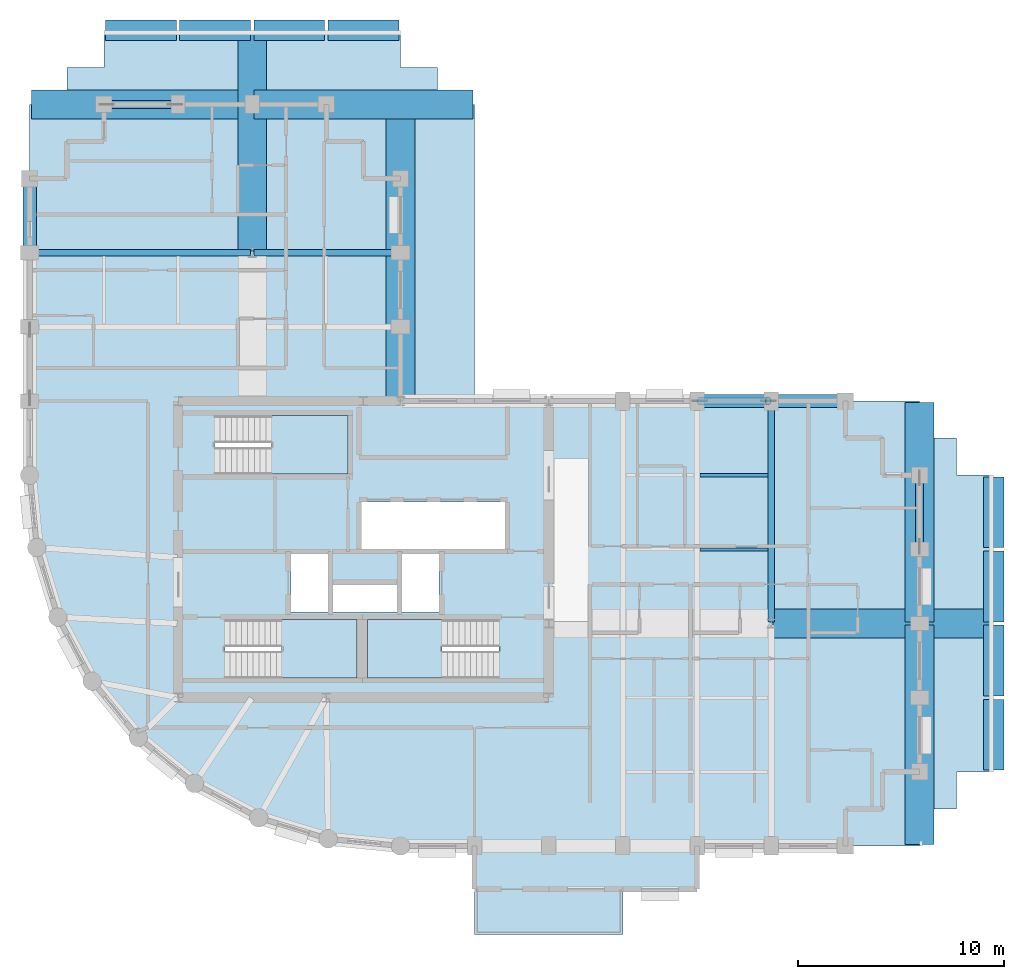
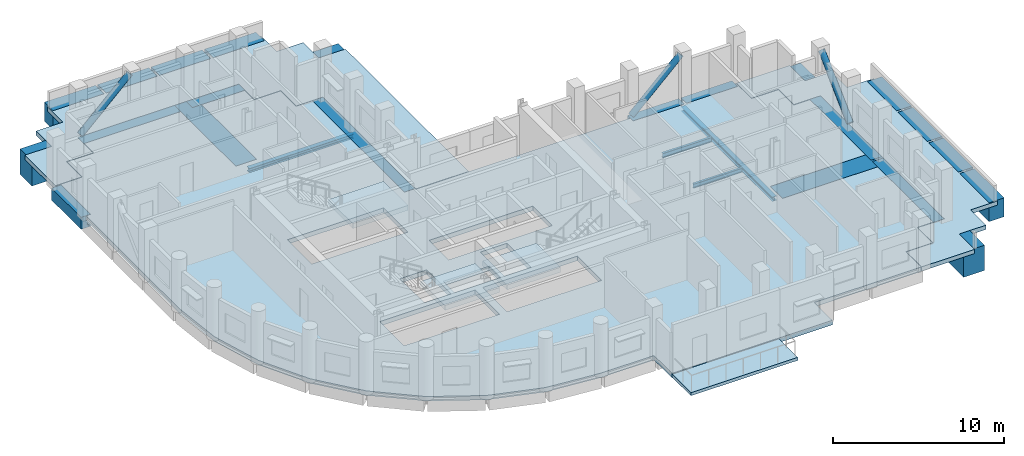
# One storey, part 2 of 10: 23 beams, 7 slabs, 3 members, 3 elements without a shape of their own.
"""IFC4 building model written with IfcOpenShell, lengths in metres."""

from ifc_helpers import new_model, si_unit, direction, frame, origin, origin_2d, place, context, subcontext, project, spatial, polyline, rectangle, hollow_circle, i_section, outline, extrude, material, layer, layer_set, material_profile, profile_set, type_object, element, aggregate, save


model = new_model("IFC4")

# Units and contexts
model_context = context("Model", 3, precision=1e-05, world=origin(), true_north=direction((0.0, 1.0)))
body_context = subcontext(model_context, "Body", "Model", "MODEL_VIEW")
ifc_project = project(units=[si_unit("LENGTHUNIT", "METRE"), si_unit("AREAUNIT", "SQUARE_METRE"), si_unit("VOLUMEUNIT", "CUBIC_METRE"), si_unit("PLANEANGLEUNIT", "RADIAN"), si_unit("MASSUNIT", "GRAM", prefix="KILO")], contexts=[model_context])

# Site, building, storey
site_placement = place(None, origin())
site = spatial("IfcSite", under=ifc_project, at=site_placement, CompositionType="ELEMENT")
building_placement = place(site_placement, origin())
building = spatial("IfcBuilding", under=site, at=building_placement, Name="Solnavia Interchange Tower", CompositionType="ELEMENT")
storey_placement = place(building_placement, frame((0.0, 0.0, 174.800048828125)))
storey = spatial("IfcBuildingStorey", under=building, at=storey_placement, Name="L43", CompositionType="ELEMENT", Elevation=174.800048828125)

# Beams
ifc_material_1 = material(Name="Steel S355", Category="steel")
ifc_material_profile_1 = material_profile(ifc_material_1, i_section(OverallWidth=0.14990234375, OverallDepth=0.300048828125, WebThickness=0.007080078125, FlangeThickness=0.0107421875, FilletRadius=0.014892578125, at=origin_2d()), Name="IPE 300")
ifc_profile_set_1 = profile_set([ifc_material_profile_1], Name="Steel S355")
beam_type_1 = type_object("IfcBeamType", Name="Beam-Joist-IPE300", PredefinedType="JOIST", material=ifc_profile_set_1)
beam_1_placement = place(storey_placement, frame((39.75, 18.0, -0.469970703125), z_axis=(1.0, 0.0, 0.0), x_axis=(0.0, 1.0, 0.0)))
element("IfcBeam", 1, at=beam_1_placement, inside=storey, type_object=beam_type_1, Name="JST-L43-E06 East wing secondary joist", PredefinedType="JOIST", context=body_context, shape_type="SweptSolid", body=[
    extrude(i_section(OverallWidth=0.14990234375, OverallDepth=0.300048828125, WebThickness=0.007080078125, FlangeThickness=0.0107421875, FilletRadius=0.014892578125, at=origin_2d()), origin(), (0.0, 0.0, 1.0), 3.300048828125),
])
ifc_material_profile_2 = material_profile(ifc_material_1, i_section(OverallWidth=0.159912109375, OverallDepth=0.330078125, WebThickness=0.007568359375, FlangeThickness=0.011474609375, FilletRadius=0.01806640625, at=origin_2d()), Name="IPE 330")
ifc_profile_set_2 = profile_set([ifc_material_profile_2], Name="Steel S355")
beam_type_2 = type_object("IfcBeamType", Name="Beam-Joist-IPE330", PredefinedType="JOIST", material=ifc_profile_set_2)
beam_2_placement = place(storey_placement, frame((39.75, 21.60009765625, -0.485107421875), z_axis=(1.0, 0.0, 0.0), x_axis=(0.0, 1.0, 0.0)))
element("IfcBeam", 2, at=beam_2_placement, inside=storey, type_object=beam_type_2, Name="JST-L43-E08 East wing secondary joist", PredefinedType="JOIST", context=body_context, shape_type="SweptSolid", body=[
    extrude(i_section(OverallWidth=0.159912109375, OverallDepth=0.330078125, WebThickness=0.007568359375, FlangeThickness=0.011474609375, FilletRadius=0.01806640625, at=origin_2d()), origin(), (0.0, 0.0, 1.0), 3.300048828125),
])
ifc_material_profile_3 = material_profile(ifc_material_1, i_section(OverallWidth=0.300048828125, OverallDepth=0.31005859375, WebThickness=0.009033203125, FlangeThickness=0.015380859375, FilletRadius=0.027099609375, at=origin_2d()), Name="HEA 320")
ifc_profile_set_3 = profile_set([ifc_material_profile_3], Name="Steel S355")
beam_type_3 = type_object("IfcBeamType", Name="Beam-Primary-HEA320", PredefinedType="BEAM", material=ifc_profile_set_3)
beam_3_placement = place(storey_placement, frame((43.199951171875, 14.47998046875, -0.47509765625), z_axis=(0.0, 1.0, 0.0), x_axis=(-1.0, 0.0, 0.0)))
element("IfcBeam", 3, at=beam_3_placement, inside=storey, type_object=beam_type_3, Name="GRD-L43-EW04 East wing primary floor girder", PredefinedType="BEAM", context=body_context, shape_type="SweptSolid", body=[
    extrude(i_section(OverallWidth=0.300048828125, OverallDepth=0.31005859375, WebThickness=0.009033203125, FlangeThickness=0.015380859375, FilletRadius=0.027099609375, at=origin_2d()), origin(), (0.0, 0.0, 1.0), 10.64013671875),
])
beam_4_placement = place(storey_placement, frame((7.280029296875, 32.39990234375, -0.47509765625), z_axis=(1.0, 0.0, 0.0), x_axis=(0.0, 1.0, 0.0)))
element("IfcBeam", 4, at=beam_4_placement, inside=storey, type_object=beam_type_3, Name="GRD-L43-NW06 North wing primary floor girder", PredefinedType="BEAM", context=body_context, shape_type="SweptSolid", body=[
    extrude(i_section(OverallWidth=0.300048828125, OverallDepth=0.31005859375, WebThickness=0.009033203125, FlangeThickness=0.015380859375, FilletRadius=0.027099609375, at=origin_2d()), origin(), (0.0, 0.0, 1.0), 10.639892578125),
])
beam_5_placement = place(storey_placement, frame((18.080078125, 32.39990234375, -0.47509765625), z_axis=(1.0, 0.0, 0.0), x_axis=(0.0, 1.0, 0.0)))
element("IfcBeam", 5, at=beam_5_placement, inside=storey, type_object=beam_type_3, Name="GRD-L43-NW07 North wing primary floor girder", PredefinedType="BEAM", context=body_context, shape_type="SweptSolid", body=[
    extrude(i_section(OverallWidth=0.300048828125, OverallDepth=0.31005859375, WebThickness=0.009033203125, FlangeThickness=0.015380859375, FilletRadius=0.027099609375, at=origin_2d()), origin(), (0.0, 0.0, 1.0), 7.0400390625),
])
ifc_material_2 = material(Name="Concrete C50/60", Category="concrete")
ifc_material_profile_4 = material_profile(ifc_material_2, rectangle(XDim=0.64990234375, YDim=0.85009765625, at=origin_2d()), Name="RC 650x850")
ifc_profile_set_4 = profile_set([ifc_material_profile_4], Name="Concrete C50/60")
beam_type_4 = type_object("IfcBeamType", Name="Beam-Spandrel-RC650x850", PredefinedType="SPANDREL", material=ifc_profile_set_4)
beam_6_placement = place(storey_placement, frame((46.719970703125, 25.199951171875, -0.425048828125), z_axis=(-1.0, 0.0, 0.0), x_axis=(0.0, -1.0, 0.0)))
element("IfcBeam", 6, at=beam_6_placement, inside=storey, type_object=beam_type_4, Name="SPB-L43-15 Framed-tube perimeter spandrel beam", PredefinedType="SPANDREL", context=body_context, shape_type="SweptSolid", body=[
    extrude(rectangle(XDim=0.64990234375, YDim=0.85009765625, at=origin_2d()), origin(), (0.0, 0.0, 1.0), 3.43994140625),
])
beam_7_placement = place(storey_placement, frame((43.1201171875, 25.199951171875, -0.425048828125), z_axis=(-1.0, 0.0, 0.0), x_axis=(0.0, -1.0, 0.0)))
element("IfcBeam", 7, at=beam_7_placement, inside=storey, type_object=beam_type_4, Name="SPB-L43-16 Framed-tube perimeter spandrel beam", PredefinedType="SPANDREL", context=body_context, shape_type="SweptSolid", body=[
    extrude(rectangle(XDim=0.64990234375, YDim=0.85009765625, at=origin_2d()), origin(), (0.0, 0.0, 1.0), 3.440185546875),
])
beam_8_placement = place(storey_placement, frame((7.199951171875, 35.919921875, -0.425048828125), z_axis=(0.0, -1.0, 0.0), x_axis=(1.0, 0.0, 0.0)))
element("IfcBeam", 8, at=beam_8_placement, inside=storey, type_object=beam_type_4, Name="SPB-L43-20 Framed-tube perimeter spandrel beam", PredefinedType="SPANDREL", context=body_context, shape_type="SweptSolid", body=[
    extrude(rectangle(XDim=0.64990234375, YDim=0.85009765625, at=origin_2d()), origin(), (0.0, 0.0, 1.0), 3.43994140625),
])
ifc_material_3 = material(Name="Concrete C60/75", Category="concrete")
ifc_material_profile_5 = material_profile(ifc_material_3, rectangle(XDim=1.0, YDim=1.35009765625, at=origin_2d()), Name="RC 1000x1350")
ifc_profile_set_5 = profile_set([ifc_material_profile_5], Name="Concrete C60/75")
beam_type_5 = type_object("IfcBeamType", Name="Beam-Transfer-RC1000x1350", PredefinedType="BEAM", material=ifc_profile_set_5)
beam_9_placement = place(storey_placement, frame((54.0, 7.280029296875, -0.675048828125), z_axis=(0.0, 1.0, 0.0), x_axis=(-1.0, 0.0, 0.0)))
element("IfcBeam", 9, at=beam_9_placement, inside=storey, type_object=beam_type_5, Name="TRB-L43-05 East setback ledge edge beam", PredefinedType="BEAM", context=body_context, shape_type="SweptSolid", body=[
    extrude(rectangle(XDim=1.0, YDim=1.35009765625, at=origin_2d()), origin(), (0.0, 0.0, 1.0), 3.43994140625),
])
beam_10_placement = place(storey_placement, frame((54.0, 10.8798828125, -0.675048828125), z_axis=(0.0, 1.0, 0.0), x_axis=(-1.0, 0.0, 0.0)))
element("IfcBeam", 10, at=beam_10_placement, inside=storey, type_object=beam_type_5, Name="TRB-L43-06 East setback ledge edge beam", PredefinedType="BEAM", context=body_context, shape_type="SweptSolid", body=[
    extrude(rectangle(XDim=1.0, YDim=1.35009765625, at=origin_2d()), origin(), (0.0, 0.0, 1.0), 3.440185546875),
])
for number, where, z_axis, x_axis, name in (
    (11, (54.0, 14.47998046875, -0.675048828125), (0.0, 1.0, 0.0), (-1.0, 0.0, 0.0), "TRB-L43-07 East setback ledge edge beam"),
    (12, (54.0, 18.080078125, -0.675048828125), (0.0, 1.0, 0.0), (-1.0, 0.0, 0.0), "TRB-L43-08 East setback ledge edge beam"),
):
    element("IfcBeam", number, at=place(storey_placement, frame(where, z_axis=z_axis, x_axis=x_axis)), inside=storey, type_object=beam_type_5, Name=name, PredefinedType="BEAM", context=body_context, shape_type="SweptSolid", body=[
        extrude(rectangle(XDim=1.0, YDim=1.35009765625, at=origin_2d()), origin(), (0.0, 0.0, 1.0), 3.43994140625),
    ])
beam_11_placement = place(storey_placement, frame((10.8798828125, 43.199951171875, -0.675048828125), z_axis=(1.0, 0.0, 0.0), x_axis=(0.0, 1.0, 0.0)))
element("IfcBeam", 13, at=beam_11_placement, inside=storey, type_object=beam_type_5, Name="TRB-L43-13 North setback ledge edge beam", PredefinedType="BEAM", context=body_context, shape_type="SweptSolid", body=[
    extrude(rectangle(XDim=1.0, YDim=1.35009765625, at=origin_2d()), origin(), (0.0, 0.0, 1.0), 3.440185546875),
])
for number, where, z_axis, x_axis, name in (
    (14, (14.47998046875, 43.199951171875, -0.675048828125), (1.0, 0.0, 0.0), (0.0, 1.0, 0.0), "TRB-L43-14 North setback ledge edge beam"),
    (15, (18.080078125, 43.199951171875, -0.675048828125), (1.0, 0.0, 0.0), (0.0, 1.0, 0.0), "TRB-L43-15 North setback ledge edge beam"),
):
    element("IfcBeam", number, at=place(storey_placement, frame(where, z_axis=z_axis, x_axis=x_axis)), inside=storey, type_object=beam_type_5, Name=name, PredefinedType="BEAM", context=body_context, shape_type="SweptSolid", body=[
        extrude(rectangle(XDim=1.0, YDim=1.35009765625, at=origin_2d()), origin(), (0.0, 0.0, 1.0), 3.43994140625),
    ])
beam_12_placement = place(storey_placement, frame((21.679931640625, 43.199951171875, -0.675048828125), z_axis=(1.0, 0.0, 0.0), x_axis=(0.0, 1.0, 0.0)))
element("IfcBeam", 16, at=beam_12_placement, inside=storey, type_object=beam_type_5, Name="TRB-L43-16 North setback ledge edge beam", PredefinedType="BEAM", context=body_context, shape_type="SweptSolid", body=[
    extrude(rectangle(XDim=1.0, YDim=1.35009765625, at=origin_2d()), origin(), (0.0, 0.0, 1.0), 3.440185546875),
])
ifc_material_profile_6 = material_profile(ifc_material_3, rectangle(XDim=1.39990234375, YDim=1.800048828125, at=origin_2d()), Name="RC 1400x1800")
ifc_profile_set_6 = profile_set([ifc_material_profile_6], Name="Concrete C60/75")
beam_type_6 = type_object("IfcBeamType", Name="Beam-Transfer-RC1400x1800", PredefinedType="BEAM", material=ifc_profile_set_6)
beam_13_placement = place(storey_placement, frame((43.280029296875, 14.39990234375, -0.900146484375), z_axis=(1.0, 0.0, 0.0), x_axis=(0.0, 1.0, 0.0)))
element("IfcBeam", 17, at=beam_13_placement, inside=storey, type_object=beam_type_6, Name="TRB-L43-02 East setback spine transfer girder", PredefinedType="BEAM", context=body_context, shape_type="SweptSolid", body=[
    extrude(rectangle(XDim=1.39990234375, YDim=1.800048828125, at=origin_2d()), origin(), (0.0, 0.0, 1.0), 10.639892578125),
])
for number, where, z_axis, x_axis, name in (
    (18, (50.39990234375, 3.679931640625, -0.900146484375), (0.0, 1.0, 0.0), (-1.0, 0.0, 0.0), "TRB-L43-03 East setback perimeter transfer girder"),
    (19, (50.39990234375, 14.47998046875, -0.900146484375), (0.0, 1.0, 0.0), (-1.0, 0.0, 0.0), "TRB-L43-04 East setback perimeter transfer girder"),
    (20, (18.0, 32.47998046875, -0.900146484375), (0.0, 1.0, 0.0), (-1.0, 0.0, 0.0), "TRB-L43-10 North setback spine transfer girder"),
):
    element("IfcBeam", number, at=place(storey_placement, frame(where, z_axis=z_axis, x_axis=x_axis)), inside=storey, type_object=beam_type_6, Name=name, PredefinedType="BEAM", context=body_context, shape_type="SweptSolid", body=[
        extrude(rectangle(XDim=1.39990234375, YDim=1.800048828125, at=origin_2d()), origin(), (0.0, 0.0, 1.0), 10.64013671875),
    ])
for number, where, z_axis, x_axis, name in (
    (21, (7.280029296875, 39.60009765625, -0.900146484375), (1.0, 0.0, 0.0), (0.0, 1.0, 0.0), "TRB-L43-11 North setback perimeter transfer girder"),
    (22, (18.080078125, 39.60009765625, -0.900146484375), (1.0, 0.0, 0.0), (0.0, 1.0, 0.0), "TRB-L43-12 North setback perimeter transfer girder"),
):
    element("IfcBeam", number, at=place(storey_placement, frame(where, z_axis=z_axis, x_axis=x_axis)), inside=storey, type_object=beam_type_6, Name=name, PredefinedType="BEAM", context=body_context, shape_type="SweptSolid", body=[
        extrude(rectangle(XDim=1.39990234375, YDim=1.800048828125, at=origin_2d()), origin(), (0.0, 0.0, 1.0), 10.639892578125),
    ])
beam_14_placement = place(storey_placement, frame((25.199951171875, 25.280029296875, -0.900146484375), z_axis=(0.0, 1.0, 0.0), x_axis=(-1.0, 0.0, 0.0)))
element("IfcBeam", 23, at=beam_14_placement, inside=storey, type_object=beam_type_6, Name="TRB-L43-17 North-east setback transfer girder", PredefinedType="BEAM", context=body_context, shape_type="SweptSolid", body=[
    extrude(rectangle(XDim=1.39990234375, YDim=1.800048828125, at=origin_2d()), origin(), (0.0, 0.0, 1.0), 14.239990234375),
])

# Members
ifc_material_4 = material(Name="Steel S460", Category="steel")
ifc_material_profile_7 = material_profile(ifc_material_4, hollow_circle(Radius=0.203125, WallThickness=0.02001953125, at=origin_2d()), Name="CHS 406.4x20")
ifc_profile_set_7 = profile_set([ifc_material_profile_7], Name="Steel S460")
member_type = type_object("IfcMemberType", Name="Brace-Perim-CHS406", PredefinedType="BRACE", material=ifc_profile_set_7)
for number, where, z_axis, x_axis, name in (
    (24, (50.39990234375, 18.139892578125, 0.179931640625), (0.0, 0.721096918576, 0.692834203847), (-1.0, 0.0, 0.0), "BRC-L43-02 Perimeter tube diagonal brace"),
    (25, (10.93994140625, 39.60009765625, 0.179931640625), (0.721096918576, 0.0, 0.692834203847), (0.0, 1.0, 0.0), "BRC-L43-03 Perimeter tube diagonal brace"),
    (26, (39.739990234375, 25.199951171875, 0.179931640625), (0.721096918576, 0.0, 0.692834203847), (0.0, 1.0, 0.0), "BRC-L43-04 Perimeter tube diagonal brace"),
):
    element("IfcMember", number, at=place(storey_placement, frame(where, z_axis=z_axis, x_axis=x_axis)), inside=storey, type_object=member_type, Name=name, PredefinedType="BRACE", context=body_context, shape_type="SweptSolid", body=[
        extrude(hollow_circle(Radius=0.203125, WallThickness=0.02001953125, at=origin_2d()), origin(), (0.0, 0.0, 1.0), 4.604248046875),
    ])

# Slabs
ifc_material_5 = material(Name="Concrete C40/50", Category="concrete")
ifc_layer_1 = layer(ifc_material_5, 0.300048828125)
ifc_layer_set_1 = layer_set([ifc_layer_1], Name="Concrete C40/50")
slab_type_1 = type_object("IfcSlabType", Name="Slab-Roof-300", PredefinedType="ROOF", material=ifc_layer_set_1)
slab_1_placement = place(storey_placement, frame((0.0, 0.0, -0.300048828125)))
element("IfcSlab", 27, at=slab_1_placement, inside=storey, type_object=slab_type_1, Name="ROF-L43-01 Setback maintenance roof slab", PredefinedType="ROOF", context=body_context, shape_type="SweptSolid", body=[
    extrude(outline(polyline([(9.0, 39.60009765625), (9.0, 41.39990234375), (10.800048828125, 41.39990234375), (10.800048828125, 43.199951171875), (25.199951171875, 43.199951171875), (25.199951171875, 41.39990234375), (27.0, 41.39990234375), (27.0, 39.60009765625), (28.800048828125, 39.60009765625), (28.800048828125, 25.219970703125), (25.219970703125, 25.219970703125), (25.219970703125, 36.02001953125), (23.419921875, 36.02001953125), (23.419921875, 37.820068359375), (21.6201171875, 37.820068359375), (21.6201171875, 39.6201171875), (10.780029296875, 39.6201171875), (10.780029296875, 37.820068359375), (8.97998046875, 37.820068359375), (8.97998046875, 36.02001953125), (7.199951171875, 36.02001953125), (7.199951171875, 39.60009765625), (9.0, 39.60009765625)])), origin(), (0.0, 0.0, 1.0), 0.300048828125),
])
slab_2_placement = place(storey_placement, frame((0.0, 0.0, -0.300048828125)))
element("IfcSlab", 28, at=slab_2_placement, inside=storey, type_object=slab_type_1, Name="ROF-L43-02 Setback maintenance roof slab", PredefinedType="ROOF", context=body_context, shape_type="SweptSolid", body=[
    extrude(outline(polyline([(50.39990234375, 23.39990234375), (52.199951171875, 23.39990234375), (52.199951171875, 21.60009765625), (54.0, 21.60009765625), (54.0, 7.199951171875), (52.199951171875, 7.199951171875), (52.199951171875, 5.39990234375), (50.39990234375, 5.39990234375), (50.39990234375, 3.60009765625), (46.820068359375, 3.60009765625), (46.820068359375, 5.3798828125), (48.6201171875, 5.3798828125), (48.6201171875, 7.179931640625), (50.419921875, 7.179931640625), (50.419921875, 21.6201171875), (48.6201171875, 21.6201171875), (48.6201171875, 23.419921875), (46.820068359375, 23.419921875), (46.820068359375, 25.199951171875), (50.39990234375, 25.199951171875), (50.39990234375, 23.39990234375)])), origin(), (0.0, 0.0, 1.0), 0.300048828125),
])
ifc_layer_2 = layer(ifc_material_5, 0.320068359375)
ifc_layer_set_2 = layer_set([ifc_layer_2], Name="Concrete C40/50")
slab_type_2 = type_object("IfcSlabType", Name="Slab-Special-320", PredefinedType="FLOOR", material=ifc_layer_set_2)
slab_3_placement = place(storey_placement, frame((0.0, 0.0, -0.320068359375)))
element("IfcSlab", 29, at=slab_3_placement, inside=storey, type_object=slab_type_2, Name="SLB-L43-01 Structural floor slab", PredefinedType="FLOOR", context=body_context, shape_type="SweptSolid", body=[
    extrude(outline(polyline([(25.199951171875, 3.60009765625), (28.800048828125, 3.60009765625), (28.800048828125, 1.5), (39.60009765625, 1.5), (39.60009765625, 3.60009765625), (46.800048828125, 3.60009765625), (46.800048828125, 5.39990234375), (48.60009765625, 5.39990234375), (48.60009765625, 7.199951171875), (50.39990234375, 7.199951171875), (50.39990234375, 21.60009765625), (48.60009765625, 21.60009765625), (48.60009765625, 23.39990234375), (46.800048828125, 23.39990234375), (46.800048828125, 25.199951171875), (25.199951171875, 25.199951171875), (25.199951171875, 36.0), (23.39990234375, 36.0), (23.39990234375, 37.800048828125), (21.60009765625, 37.800048828125), (21.60009765625, 39.60009765625), (10.800048828125, 39.60009765625), (10.800048828125, 37.800048828125), (9.0, 37.800048828125), (9.0, 36.0), (7.199951171875, 36.0), (7.199951171875, 21.60009765625), (7.5458984375, 18.087890625), (8.570068359375, 14.7119140625), (10.23388671875, 11.60009765625), (12.471923828125, 8.8720703125), (15.199951171875, 6.634033203125), (18.31201171875, 4.969970703125), (21.68798828125, 3.946044921875), (25.199951171875, 3.60009765625)]), holes=[polyline([(16.675048828125, 11.75), (23.10009765625, 11.75), (23.10009765625, 14.590087890625), (16.675048828125, 14.590087890625), (16.675048828125, 11.75)]), polyline([(23.60009765625, 11.75), (29.97509765625, 11.75), (29.97509765625, 14.590087890625), (23.60009765625, 14.590087890625), (23.60009765625, 11.75)]), polyline([(16.175048828125, 21.64990234375), (22.64990234375, 21.64990234375), (22.64990234375, 24.489990234375), (16.175048828125, 24.489990234375), (16.175048828125, 21.64990234375)]), polyline([(19.8798828125, 14.9599609375), (21.679931640625, 14.9599609375), (21.679931640625, 17.780029296875), (19.8798828125, 17.780029296875), (19.8798828125, 14.9599609375)]), polyline([(25.280029296875, 14.9599609375), (27.080078125, 14.9599609375), (27.080078125, 17.780029296875), (25.280029296875, 17.780029296875), (25.280029296875, 14.9599609375)]), polyline([(21.919921875, 14.9599609375), (25.02001953125, 14.9599609375), (25.02001953125, 16.280029296875), (21.919921875, 16.280029296875), (21.919921875, 14.9599609375)]), polyline([(23.300048828125, 18.02001953125), (30.280029296875, 18.02001953125), (30.280029296875, 20.300048828125), (23.300048828125, 20.300048828125), (23.300048828125, 18.02001953125)])]), origin(), (0.0, 0.0, 1.0), 0.320068359375),
])

# Stair, slab
stair_type = type_object("IfcStairType", Name="Stair-Dogleg-RC", PredefinedType="HALF_TURN_STAIR", material=ifc_material_5)
stair_1_placement = place(storey_placement, origin())
stair_1 = element("IfcStair", 30, at=stair_1_placement, inside=storey, type_object=stair_type, Name="L43 Core exit stair 1", PredefinedType="HALF_TURN_STAIR")
ifc_layer_3 = layer(ifc_material_5, 0.35009765625)
ifc_layer_set_3 = layer_set([ifc_layer_3], Name="Concrete C40/50")
slab_type_3 = type_object("IfcSlabType", Name="Slab-StairLanding-350", PredefinedType="LANDING", material=ifc_layer_set_3)
slab_4_placement = place(storey_placement, frame((0.0, 0.0, 1.550048828125)))
slab_4 = element("IfcSlab", 31, at=slab_4_placement, type_object=slab_type_3, Name="ST-1 landing 1", PredefinedType="LANDING", context=body_context, shape_type="SweptSolid", body=[
    extrude(outline(polyline([(19.427978515625, 11.75), (23.10009765625, 11.75), (23.10009765625, 14.590087890625), (19.427978515625, 14.590087890625), (19.427978515625, 11.75)])), origin(), (0.0, 0.0, 1.0), 0.349853515625),
])
aggregate(stair_1, [slab_4])

stair_2_placement = place(storey_placement, origin())
stair_2 = element("IfcStair", 32, at=stair_2_placement, inside=storey, type_object=stair_type, Name="L43 Core exit stair 2", PredefinedType="HALF_TURN_STAIR")
slab_5_placement = place(storey_placement, frame((0.0, 0.0, 1.550048828125)))
slab_5 = element("IfcSlab", 33, at=slab_5_placement, type_object=slab_type_3, Name="ST-2 landing 1", PredefinedType="LANDING", context=body_context, shape_type="SweptSolid", body=[
    extrude(outline(polyline([(23.60009765625, 11.75), (27.221923828125, 11.75), (27.221923828125, 14.590087890625), (23.60009765625, 14.590087890625), (23.60009765625, 11.75)])), origin(), (0.0, 0.0, 1.0), 0.349853515625),
])
aggregate(stair_2, [slab_5])

stair_3_placement = place(storey_placement, origin())
stair_3 = element("IfcStair", 34, at=stair_3_placement, inside=storey, type_object=stair_type, Name="L43 Core exit stair 3", PredefinedType="HALF_TURN_STAIR")
slab_6_placement = place(storey_placement, frame((0.0, 0.0, 1.550048828125)))
slab_6 = element("IfcSlab", 35, at=slab_6_placement, type_object=slab_type_3, Name="ST-3 landing 1", PredefinedType="LANDING", context=body_context, shape_type="SweptSolid", body=[
    extrude(outline(polyline([(18.927978515625, 21.64990234375), (22.64990234375, 21.64990234375), (22.64990234375, 24.489990234375), (18.927978515625, 24.489990234375), (18.927978515625, 21.64990234375)])), origin(), (0.0, 0.0, 1.0), 0.349853515625),
])
aggregate(stair_3, [slab_6])

# Slab
ifc_layer_4 = layer(ifc_material_5, 0.219970703125)
ifc_layer_set_4 = layer_set([ifc_layer_4], Name="Concrete C40/50")
slab_type_4 = type_object("IfcSlabType", Name="Slab-Terrace-220", PredefinedType="FLOOR", material=ifc_layer_set_4)
slab_7_placement = place(storey_placement, frame((0.0, 0.0, -0.260009765625)))
element("IfcSlab", 36, at=slab_7_placement, inside=storey, type_object=slab_type_4, Name="TER-L43-01 Outdoor spiral terrace slab", PredefinedType="FLOOR", context=body_context, shape_type="SweptSolid", body=[
    extrude(outline(polyline([(28.800048828125, -0.699951171875), (36.0, -0.699951171875), (36.0, 1.5), (28.800048828125, 1.5), (28.800048828125, -0.699951171875)])), origin(), (0.0, 0.0, 1.0), 0.219970703125),
])

save(model, "model.ifc")
